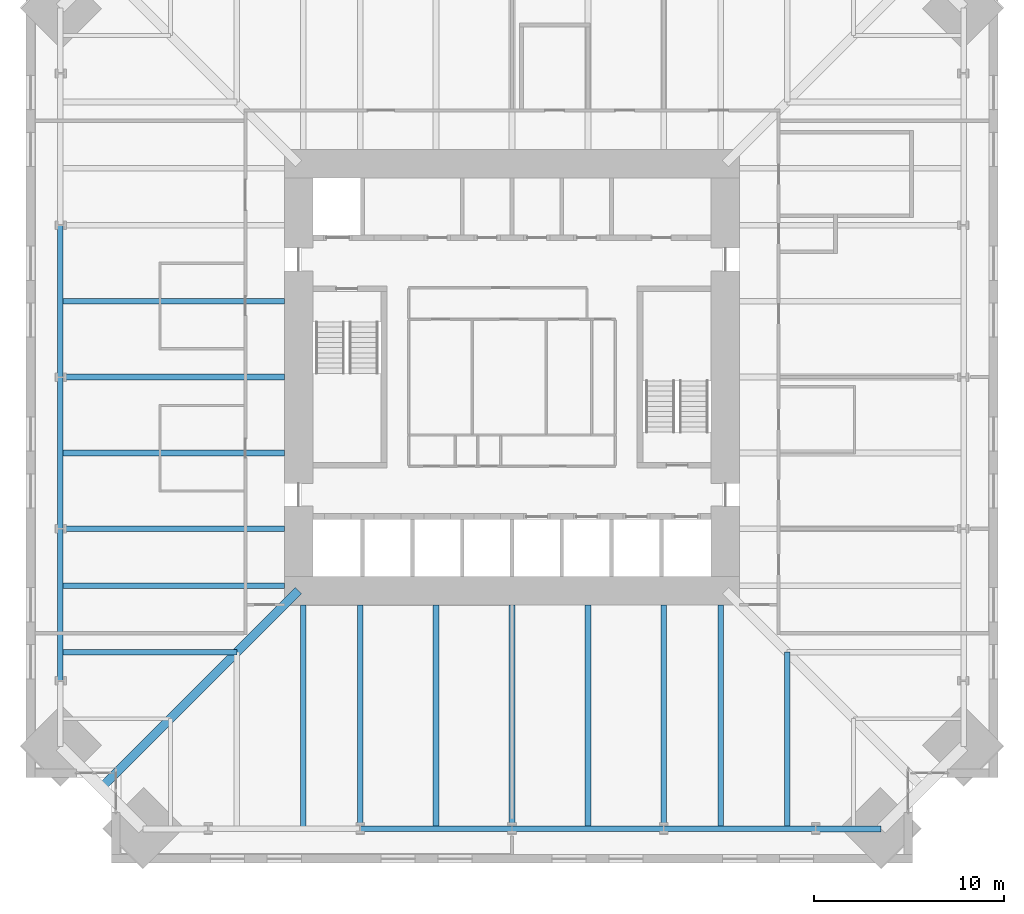
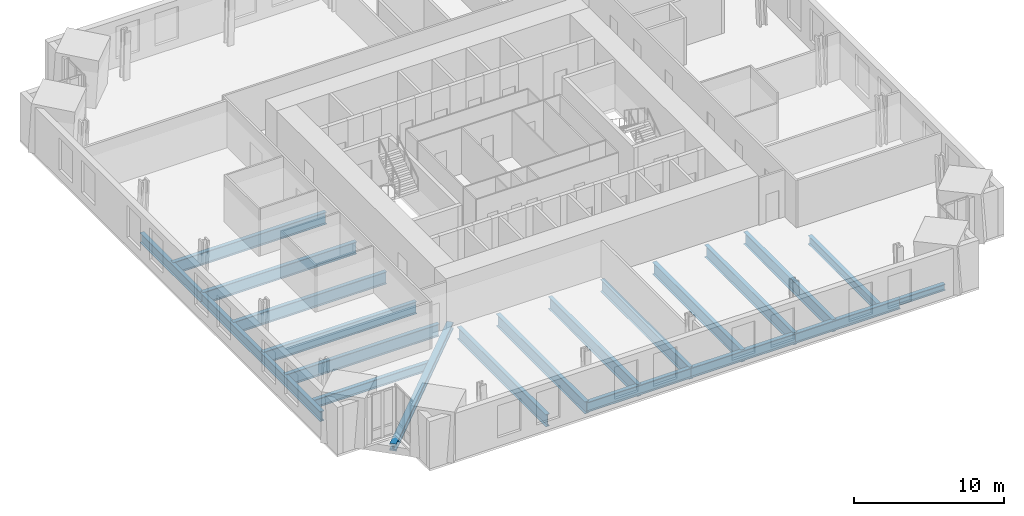
# One storey, part 3 of 18: 22 beams.
"""IFC4 building model written with IfcOpenShell, lengths in metres."""

from ifc_helpers import new_model, si_unit, direction, frame, origin, origin_2d, place, context, subcontext, project, spatial, i_section, extrude, material, material_profile, profile_set, type_object, element, save


model = new_model("IFC4")

# Units and contexts
model_context = context("Model", 3, precision=1e-05, world=origin(), true_north=direction((0.0, 1.0)))
body_context = subcontext(model_context, "Body", "Model", "MODEL_VIEW")
ifc_project = project(units=[si_unit("LENGTHUNIT", "METRE"), si_unit("AREAUNIT", "SQUARE_METRE"), si_unit("VOLUMEUNIT", "CUBIC_METRE"), si_unit("PLANEANGLEUNIT", "RADIAN"), si_unit("MASSUNIT", "GRAM", prefix="KILO")], contexts=[model_context])

# Site, building, storey
site_placement = place(None, origin())
site = spatial("IfcSite", under=ifc_project, at=site_placement, CompositionType="ELEMENT")
building_placement = place(site_placement, origin())
building = spatial("IfcBuilding", under=site, at=building_placement, Name="Peilmerk Tower", CompositionType="ELEMENT")
storey_placement = place(building_placement, frame((0.0, 0.0, 175.800048828125)))
storey = spatial("IfcBuildingStorey", under=building, at=storey_placement, Name="L37", CompositionType="ELEMENT", Elevation=175.800048828125)

# Beams
ifc_material_1 = material(Name="Steel S355", Category="steel")
ifc_material_profile_1 = material_profile(ifc_material_1, i_section(OverallWidth=0.300048828125, OverallDepth=0.989990234375, WebThickness=0.0166015625, FlangeThickness=0.031005859375, at=origin_2d()), Name="HEA 1000")
ifc_profile_set_1 = profile_set([ifc_material_profile_1], Name="Steel S355")
beam_type_1 = type_object("IfcBeamType", Name="B14 HEA 1000 floor girder", PredefinedType="BEAM", material=ifc_profile_set_1)
for number, where, z_axis, x_axis, name in (
    (1, (-11.0, -12.0, -0.6650390625), (0.0, -1.0, 0.0), (1.0, 0.0, 0.0), "Floor beam L37"),
    (2, (-8.0, -12.0, -0.6650390625), (0.0, -1.0, 0.0), (1.0, 0.0, 0.0), "Floor beam L37"),
    (3, (-4.0, -12.0, -0.6650390625), (0.0, -1.0, 0.0), (1.0, 0.0, 0.0), "Floor beam L37"),
    (4, (0.0, -12.0, -0.6650390625), (0.0, -1.0, 0.0), (1.0, 0.0, 0.0), "Floor beam L37"),
    (5, (4.0, -12.0, -0.6650390625), (0.0, -1.0, 0.0), (1.0, 0.0, 0.0), "Floor beam L37"),
    (6, (8.0, -12.0, -0.6650390625), (0.0, -1.0, 0.0), (1.0, 0.0, 0.0), "Floor beam L37"),
    (7, (11.0, -12.0, -0.6650390625), (0.0, -1.0, 0.0), (1.0, 0.0, 0.0), "Floor beam L37"),
    (8, (-12.0, 4.0, -0.6650390625), (-1.0, 0.0, 0.0), (0.0, -1.0, 0.0), "Floor beam L37"),
    (9, (-12.0, 0.0, -0.6650390625), (-1.0, 0.0, 0.0), (0.0, -1.0, 0.0), "Floor beam L37"),
    (10, (-12.0, -4.0, -0.6650390625), (-1.0, 0.0, 0.0), (0.0, -1.0, 0.0), "Floor beam L37"),
    (11, (-12.0, -8.0, -0.6650390625), (-1.0, 0.0, 0.0), (0.0, -1.0, 0.0), "Floor beam L37"),
    (12, (-12.0, -11.0, -0.6650390625), (-1.0, 0.0, 0.0), (0.0, -1.0, 0.0), "Floor beam L37"),
):
    element("IfcBeam", number, at=place(storey_placement, frame(where, z_axis=z_axis, x_axis=x_axis)), inside=storey, type_object=beam_type_1, Name=name, PredefinedType="BEAM", context=body_context, shape_type="SweptSolid", body=[
        extrude(i_section(OverallWidth=0.300048828125, OverallDepth=0.989990234375, WebThickness=0.0166015625, FlangeThickness=0.031005859375, at=origin_2d()), origin(), (0.0, 0.0, 1.0), 11.80810546875),
    ])
ifc_material_profile_2 = material_profile(ifc_material_1, i_section(OverallWidth=0.302978515625, OverallDepth=0.81396484375, WebThickness=0.02099609375, FlangeThickness=0.0400390625, at=origin_2d()), Name="HEM 800")
ifc_profile_set_2 = profile_set([ifc_material_profile_2], Name="Steel S355")
beam_type_2 = type_object("IfcBeamType", Name="B15 HEM 800 edge beam", PredefinedType="SPANDREL", material=ifc_profile_set_2)
for number, where, z_axis, x_axis, name in (
    (13, (-8.0, -23.80810546875, -0.5771484375), (1.0, 0.0, 0.0), (0.0, 1.0, 0.0), "Edge beam L37"),
    (14, (0.0, -23.80810546875, -0.5771484375), (1.0, 0.0, 0.0), (0.0, 1.0, 0.0), "Edge beam L37"),
    (15, (8.0, -23.80810546875, -0.5771484375), (1.0, 0.0, 0.0), (0.0, 1.0, 0.0), "Edge beam L37"),
    (16, (-23.80810546875, 8.0, -0.5771484375), (0.0, -1.0, 0.0), (1.0, 0.0, 0.0), "Edge beam L37"),
    (17, (-23.80810546875, 0.0, -0.5771484375), (0.0, -1.0, 0.0), (1.0, 0.0, 0.0), "Edge beam L37"),
    (18, (-23.80810546875, -8.0, -0.5771484375), (0.0, -1.0, 0.0), (1.0, 0.0, 0.0), "Edge beam L37"),
):
    element("IfcBeam", number, at=place(storey_placement, frame(where, z_axis=z_axis, x_axis=x_axis)), inside=storey, type_object=beam_type_2, Name=name, PredefinedType="SPANDREL", context=body_context, shape_type="SweptSolid", body=[
        extrude(i_section(OverallWidth=0.302978515625, OverallDepth=0.81396484375, WebThickness=0.02099609375, FlangeThickness=0.0400390625, at=origin_2d()), origin(), (0.0, 0.0, 1.0), 8.0),
    ])
ifc_material_profile_3 = material_profile(ifc_material_1, i_section(OverallWidth=0.300048828125, OverallDepth=0.68994140625, WebThickness=0.014404296875, FlangeThickness=0.027099609375, at=origin_2d()), Name="HEA 700")
ifc_profile_set_3 = profile_set([ifc_material_profile_3], Name="Steel S355")
beam_type_3 = type_object("IfcBeamType", Name="B16 HEA 700 floor beam", PredefinedType="BEAM", material=ifc_profile_set_3)
for number, where, z_axis, x_axis, name in (
    (19, (14.5, -14.5, -0.51513671875), (0.0, -1.0, 0.0), (1.0, 0.0, 0.0), "Floor beam L37"),
    (20, (-14.5, -14.5, -0.51513671875), (-1.0, 0.0, 0.0), (0.0, -1.0, 0.0), "Floor beam L37"),
):
    element("IfcBeam", number, at=place(storey_placement, frame(where, z_axis=z_axis, x_axis=x_axis)), inside=storey, type_object=beam_type_3, Name=name, PredefinedType="BEAM", context=body_context, shape_type="SweptSolid", body=[
        extrude(i_section(OverallWidth=0.300048828125, OverallDepth=0.68994140625, WebThickness=0.014404296875, FlangeThickness=0.027099609375, at=origin_2d()), origin(), (0.0, 0.0, 1.0), 9.30810546875),
    ])
ifc_material_profile_4 = material_profile(ifc_material_1, i_section(OverallWidth=0.305908203125, OverallDepth=0.52392578125, WebThickness=0.02099609375, FlangeThickness=0.0400390625, at=origin_2d()), Name="HEM 500")
ifc_profile_set_4 = profile_set([ifc_material_profile_4], Name="Steel S355")
beam_type_4 = type_object("IfcBeamType", Name="B33 HEM 500 edge beam", PredefinedType="SPANDREL", material=ifc_profile_set_4)
beam_1_placement = place(storey_placement, frame((16.0, -23.80810546875, -0.43212890625), z_axis=(1.0, 0.0, 0.0), x_axis=(0.0, 1.0, 0.0)))
element("IfcBeam", 21, at=beam_1_placement, inside=storey, type_object=beam_type_4, Name="Edge beam L37", PredefinedType="SPANDREL", context=body_context, shape_type="SweptSolid", body=[
    extrude(i_section(OverallWidth=0.305908203125, OverallDepth=0.52392578125, WebThickness=0.02099609375, FlangeThickness=0.0400390625, at=origin_2d()), origin(), (0.0, 0.0, 1.0), 3.4580078125),
])
ifc_material_2 = material(Name="Steel S460", Category="steel")
ifc_material_profile_5 = material_profile(ifc_material_2, i_section(OverallWidth=0.4541015625, OverallDepth=0.569091796875, WebThickness=0.077880859375, FlangeThickness=0.125, at=origin_2d()), Name="HD 400x1086")
ifc_profile_set_5 = profile_set([ifc_material_profile_5], Name="Steel S460")
beam_type_5 = type_object("IfcBeamType", Name="B9 HD 400x1086 corner girder", PredefinedType="BEAM", material=ifc_profile_set_5)
beam_2_placement = place(storey_placement, frame((-11.25, -11.25, -0.45458984375), z_axis=(-0.707106781187, -0.707106781187, 0.0), x_axis=(0.707106781187, -0.707106781187, 0.0)))
element("IfcBeam", 22, at=beam_2_placement, inside=storey, type_object=beam_type_5, Name="Corner girder L37", PredefinedType="BEAM", context=body_context, shape_type="SweptSolid", body=[
    extrude(i_section(OverallWidth=0.4541015625, OverallDepth=0.569091796875, WebThickness=0.077880859375, FlangeThickness=0.125, at=origin_2d()), origin(), (0.0, 0.0, 1.0), 14.683837890625),
])

save(model, "model.ifc")
